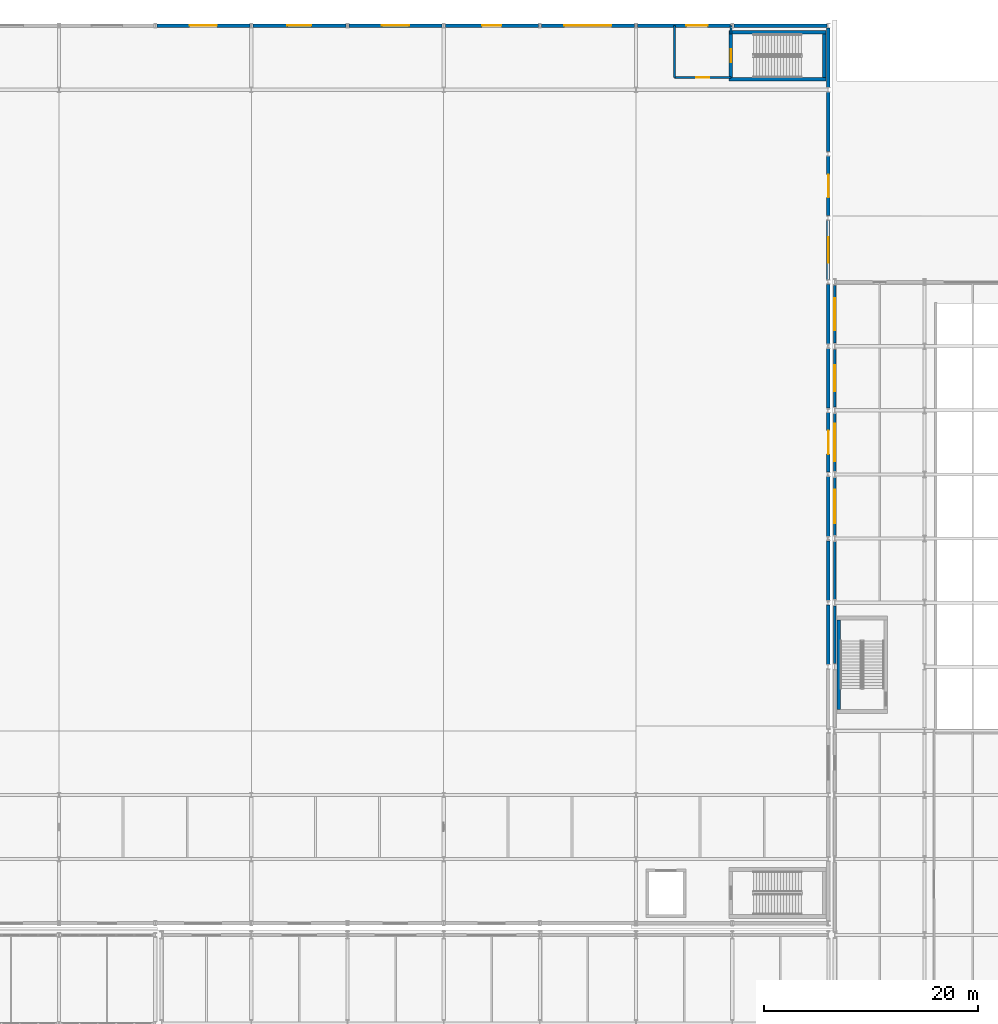
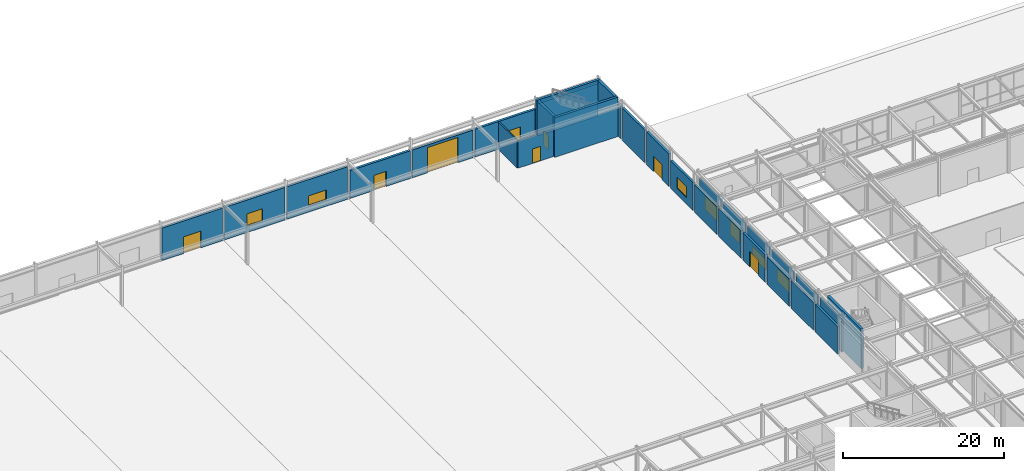
# One storey, part 123 of 146: 31 walls, 8 doors, 7 windows, 15 openings.
"""IFC4 building model written with IfcOpenShell, lengths in metres."""

from ifc_helpers import new_model, si_unit, direction, frame, frame_2d, origin, place, context, subcontext, project, spatial, rectangle, extrude, material, layer, layer_set, type_object, element, fill, save


model = new_model("IFC4")

# Units and contexts
model_context = context("Model", 3, precision=1e-05, world=origin(), true_north=direction((0.0, 1.0)))
body_context = subcontext(model_context, "Body", "Model", "MODEL_VIEW")
ifc_project = project(units=[si_unit("LENGTHUNIT", "METRE"), si_unit("AREAUNIT", "SQUARE_METRE"), si_unit("VOLUMEUNIT", "CUBIC_METRE"), si_unit("PLANEANGLEUNIT", "RADIAN"), si_unit("MASSUNIT", "GRAM", prefix="KILO")], contexts=[model_context])

# Site, building, storey
site_placement = place(None, origin())
site = spatial("IfcSite", under=ifc_project, at=site_placement, CompositionType="ELEMENT")
building_placement = place(site_placement, origin())
building = spatial("IfcBuilding", under=site, at=building_placement, Name="Kaldris Quays Convention Centre", CompositionType="ELEMENT")
storey_placement = place(building_placement, origin())
storey = spatial("IfcBuildingStorey", under=building, at=storey_placement, Name="L00", CompositionType="ELEMENT", Elevation=0.0)

# Wall, opening, door
ifc_material_1 = material(Name="Concrete C35/45", Category="concrete")
ifc_layer_1 = layer(ifc_material_1, 0.344970703125)
ifc_layer_set_1 = layer_set([ifc_layer_1], Name="Concrete C35/45")
wall_type_1 = type_object("IfcWallType", Name="EXTERIOR WALL EW01", PredefinedType="STANDARD", material=ifc_layer_set_1)
wall_1_placement = place(storey_placement, frame((83.1494140625, 140.0, 0.0), z_axis=(0.0, 0.0, 1.0), x_axis=(1.0, 0.0, 0.0)))
wall_1 = element("IfcWall", 1, at=wall_1_placement, inside=storey, type_object=wall_type_1, Name="L00 Exterior Wall EW01 24", PredefinedType="STANDARD", context=body_context, shape_type="SweptSolid", body=[
    extrude(rectangle(XDim=8.701171875, YDim=0.344970703125, at=frame_2d((4.3505859375, 0.0))), origin(), (0.0, 0.0, 1.0), 4.9580078125),
])
opening_1_placement = place(wall_1_placement, frame((3.075439453125, 0.0, 0.0)))
opening_1 = element("IfcOpeningElement", 2, at=opening_1_placement, cuts=wall_1, Name="Opening ED11", PredefinedType="OPENING", context=body_context, shape_type="SweptSolid", body=[
    extrude(rectangle(XDim=2.550048828125, YDim=2.550048828125, at=frame_2d((1.27490234375, 1.27490234375))), frame((0.0, 0.1826171875, 0.0), z_axis=(0.0, -1.0, 0.0), x_axis=(1.0, 0.0, 0.0)), (0.0, 0.0, 1.0), 0.364990234375),
])
ifc_material_2 = material(Name="Thermally broken anodized aluminium and laminated safety glass", Category="aluminium")
door_type_1 = type_object("IfcDoorType", Name="EXTERIOR DOOR ED11", OperationType="DOUBLE_DOOR_SINGLE_SWING", PredefinedType="DOOR", material=ifc_material_2)
door_1_placement = place(opening_1_placement, origin())
door_1 = element("IfcDoor", 3, at=door_1_placement, inside=storey, type_object=door_type_1, Name="L00 Exterior Exit Door ED11 8", OperationType="DOUBLE_DOOR_SINGLE_SWING", OverallHeight=2.550048828125, OverallWidth=2.550048828125, PredefinedType="DOOR", context=body_context, shape_type="SweptSolid", body=[
    extrude(rectangle(XDim=2.550048828125, YDim=2.550048828125, at=frame_2d((1.27490234375, 1.27490234375))), frame((0.0, 0.02490234375, 0.0), z_axis=(0.0, -1.0, 0.0), x_axis=(1.0, 0.0, 0.0)), (0.0, 0.0, 1.0), 0.050048828125),
])
fill(opening_1, door_1)

# Wall, opening, window
wall_2_placement = place(storey_placement, frame((92.1494140625, 140.0, 0.0), z_axis=(0.0, 0.0, 1.0), x_axis=(1.0, 0.0, 0.0)))
wall_2 = element("IfcWall", 4, at=wall_2_placement, inside=storey, type_object=wall_type_1, Name="L00 Exterior Wall EW01 26", PredefinedType="STANDARD", context=body_context, shape_type="SweptSolid", body=[
    extrude(rectangle(XDim=8.701171875, YDim=0.344970703125, at=frame_2d((4.3505859375, 0.0))), origin(), (0.0, 0.0, 1.0), 4.9580078125),
])
opening_2_placement = place(wall_2_placement, frame((3.2255859375, 0.0, 1.0)))
opening_2 = element("IfcOpeningElement", 5, at=opening_2_placement, cuts=wall_2, Name="Opening WN16", PredefinedType="OPENING", context=body_context, shape_type="SweptSolid", body=[
    extrude(rectangle(XDim=2.25, YDim=1.85009765625, at=frame_2d((1.125, 0.925048828125))), frame((0.0, 0.1826171875, 0.0), z_axis=(0.0, -1.0, 0.0), x_axis=(1.0, 0.0, 0.0)), (0.0, 0.0, 1.0), 0.364990234375),
])
ifc_material_3 = material(Name="Triple low-E insulated glazing", Category="glass")
window_type_1 = type_object("IfcWindowType", Name="TRIPLE GLAZED WINDOW WN16", PartitioningType="SINGLE_PANEL", PredefinedType="WINDOW", material=ifc_material_3)
window_1_placement = place(opening_2_placement, origin())
window_1 = element("IfcWindow", 6, at=window_1_placement, inside=storey, type_object=window_type_1, Name="L00 Exterior Window WN16 11", OverallHeight=1.85009765625, OverallWidth=2.25, PartitioningType="SINGLE_PANEL", PredefinedType="WINDOW", context=body_context, shape_type="SweptSolid", body=[
    extrude(rectangle(XDim=2.25, YDim=1.85009765625, at=frame_2d((1.125, 0.925048828125))), frame((0.0, 0.030029296875, 0.0), z_axis=(0.0, -1.0, 0.0), x_axis=(1.0, 0.0, 0.0)), (0.0, 0.0, 1.0), 0.06005859375),
])
fill(opening_2, window_1)

wall_3_placement = place(storey_placement, frame((101.1494140625, 140.0, 0.0), z_axis=(0.0, 0.0, 1.0), x_axis=(1.0, 0.0, 0.0)))
wall_3 = element("IfcWall", 7, at=wall_3_placement, inside=storey, type_object=wall_type_1, Name="L00 Exterior Wall EW01 30", PredefinedType="STANDARD", context=body_context, shape_type="SweptSolid", body=[
    extrude(rectangle(XDim=8.701171875, YDim=0.344970703125, at=frame_2d((4.3505859375, 0.0))), origin(), (0.0, 0.0, 1.0), 4.9580078125),
])
opening_3_placement = place(wall_3_placement, frame((3.075439453125, 0.0, 1.0)))
opening_3 = element("IfcOpeningElement", 8, at=opening_3_placement, cuts=wall_3, Name="Opening WN19", PredefinedType="OPENING", context=body_context, shape_type="SweptSolid", body=[
    extrude(rectangle(XDim=2.550048828125, YDim=1.5, at=frame_2d((1.27490234375, 0.75))), frame((0.0, 0.1826171875, 0.0), z_axis=(0.0, -1.0, 0.0), x_axis=(1.0, 0.0, 0.0)), (0.0, 0.0, 1.0), 0.364990234375),
])
window_type_2 = type_object("IfcWindowType", Name="TRIPLE GLAZED WINDOW WN19", PartitioningType="SINGLE_PANEL", PredefinedType="WINDOW", material=ifc_material_3)
window_2_placement = place(opening_3_placement, origin())
window_2 = element("IfcWindow", 9, at=window_2_placement, inside=storey, type_object=window_type_2, Name="L00 Exterior Window WN19 14", OverallHeight=1.5, OverallWidth=2.550048828125, PartitioningType="SINGLE_PANEL", PredefinedType="WINDOW", context=body_context, shape_type="SweptSolid", body=[
    extrude(rectangle(XDim=2.550048828125, YDim=1.5, at=frame_2d((1.27490234375, 0.75))), frame((0.0, 0.030029296875, 0.0), z_axis=(0.0, -1.0, 0.0), x_axis=(1.0, 0.0, 0.0)), (0.0, 0.0, 1.0), 0.06005859375),
])
fill(opening_3, window_2)

# Wall, opening, door
wall_4_placement = place(storey_placement, frame((110.1494140625, 140.0, 0.0), z_axis=(0.0, 0.0, 1.0), x_axis=(1.0, 0.0, 0.0)))
wall_4 = element("IfcWall", 10, at=wall_4_placement, inside=storey, type_object=wall_type_1, Name="L00 Exterior Wall EW01 32", PredefinedType="STANDARD", context=body_context, shape_type="SweptSolid", body=[
    extrude(rectangle(XDim=8.701171875, YDim=0.344970703125, at=frame_2d((4.3505859375, 0.0))), origin(), (0.0, 0.0, 1.0), 4.219970703125),
])
opening_4_placement = place(wall_4_placement, frame((3.450439453125, 0.0, 0.0)))
opening_4 = element("IfcOpeningElement", 11, at=opening_4_placement, cuts=wall_4, Name="Opening ED04", PredefinedType="OPENING", context=body_context, shape_type="SweptSolid", body=[
    extrude(rectangle(XDim=1.800048828125, YDim=2.300048828125, at=frame_2d((0.89990234375, 1.14990234375))), frame((0.0, 0.1826171875, 0.0), z_axis=(0.0, -1.0, 0.0), x_axis=(1.0, 0.0, 0.0)), (0.0, 0.0, 1.0), 0.364990234375),
])
door_type_2 = type_object("IfcDoorType", Name="EXTERIOR DOOR ED04", OperationType="DOUBLE_DOOR_SINGLE_SWING", PredefinedType="DOOR", material=ifc_material_2)
door_2_placement = place(opening_4_placement, origin())
door_2 = element("IfcDoor", 12, at=door_2_placement, inside=storey, type_object=door_type_2, Name="L00 Exterior Exit Door ED04 12", OperationType="DOUBLE_DOOR_SINGLE_SWING", OverallHeight=2.300048828125, OverallWidth=1.800048828125, PredefinedType="DOOR", context=body_context, shape_type="SweptSolid", body=[
    extrude(rectangle(XDim=1.800048828125, YDim=2.300048828125, at=frame_2d((0.89990234375, 1.14990234375))), frame((0.0, 0.02490234375, 0.0), z_axis=(0.0, -1.0, 0.0), x_axis=(1.0, 0.0, 0.0)), (0.0, 0.0, 1.0), 0.050048828125),
])
fill(opening_4, door_2)

wall_5_placement = place(storey_placement, frame((119.1494140625, 140.0, 0.0), z_axis=(0.0, 0.0, 1.0), x_axis=(1.0, 0.0, 0.0)))
wall_5 = element("IfcWall", 13, at=wall_5_placement, inside=storey, type_object=wall_type_1, Name="L00 Exterior Wall EW01 36", PredefinedType="STANDARD", context=body_context, shape_type="SweptSolid", body=[
    extrude(rectangle(XDim=8.701171875, YDim=0.344970703125, at=frame_2d((4.3505859375, 0.0))), origin(), (0.0, 0.0, 1.0), 4.219970703125),
])
opening_5_placement = place(wall_5_placement, frame((2.150390625, 0.0, 0.0)))
opening_5 = element("IfcOpeningElement", 14, at=opening_5_placement, cuts=wall_5, Name="Opening VD02", PredefinedType="OPENING", context=body_context, shape_type="SweptSolid", body=[
    extrude(rectangle(XDim=4.39990234375, YDim=3.85009765625, at=frame_2d((2.199951171875, 1.925048828125))), frame((0.0, 0.1826171875, 0.0), z_axis=(0.0, -1.0, 0.0), x_axis=(1.0, 0.0, 0.0)), (0.0, 0.0, 1.0), 0.364990234375),
])
door_type_3 = type_object("IfcDoorType", Name="EXTERIOR DOOR VD02", OperationType="ROLLINGUP", PredefinedType="DOOR", material=ifc_material_2)
door_3_placement = place(opening_5_placement, origin())
door_3 = element("IfcDoor", 15, at=door_3_placement, inside=storey, type_object=door_type_3, Name="L00 Exterior Exit Door VD02 13", OperationType="ROLLINGUP", OverallHeight=3.85009765625, OverallWidth=4.39990234375, PredefinedType="DOOR", context=body_context, shape_type="SweptSolid", body=[
    extrude(rectangle(XDim=4.39990234375, YDim=3.85009765625, at=frame_2d((2.199951171875, 1.925048828125))), frame((0.0, 0.02490234375, 0.0), z_axis=(0.0, -1.0, 0.0), x_axis=(1.0, 0.0, 0.0)), (0.0, 0.0, 1.0), 0.050048828125),
])
fill(opening_5, door_3)

wall_6_placement = place(storey_placement, frame((128.1494140625, 140.0, 0.0), z_axis=(0.0, 0.0, 1.0), x_axis=(1.0, 0.0, 0.0)))
wall_6 = element("IfcWall", 16, at=wall_6_placement, inside=storey, type_object=wall_type_1, Name="L00 Exterior Wall EW01 38", PredefinedType="STANDARD", context=body_context, shape_type="SweptSolid", body=[
    extrude(rectangle(XDim=8.701171875, YDim=0.344970703125, at=frame_2d((4.3505859375, 0.0))), origin(), (0.0, 0.0, 1.0), 4.219970703125),
])
opening_6_placement = place(wall_6_placement, frame((4.55078125, 0.0, 0.0)))
opening_6 = element("IfcOpeningElement", 17, at=opening_6_placement, cuts=wall_6, Name="Opening ED01", PredefinedType="OPENING", context=body_context, shape_type="SweptSolid", body=[
    extrude(rectangle(XDim=2.0, YDim=2.300048828125, at=frame_2d((1.0, 1.14990234375))), frame((0.0, 0.1826171875, 0.0), z_axis=(0.0, -1.0, 0.0), x_axis=(1.0, 0.0, 0.0)), (0.0, 0.0, 1.0), 0.364990234375),
])
door_type_4 = type_object("IfcDoorType", Name="EXTERIOR DOOR ED01", OperationType="DOUBLE_DOOR_SINGLE_SWING", PredefinedType="DOOR", material=ifc_material_2)
door_4_placement = place(opening_6_placement, origin())
door_4 = element("IfcDoor", 18, at=door_4_placement, inside=storey, type_object=door_type_4, Name="L00 Stair ST04 Final Exterior Exit Door ED01", OperationType="DOUBLE_DOOR_SINGLE_SWING", OverallHeight=2.300048828125, OverallWidth=2.0, PredefinedType="DOOR", context=body_context, shape_type="SweptSolid", body=[
    extrude(rectangle(XDim=2.0, YDim=2.300048828125, at=frame_2d((1.0, 1.14990234375))), frame((0.0, 0.02490234375, 0.0), z_axis=(0.0, -1.0, 0.0), x_axis=(1.0, 0.0, 0.0)), (0.0, 0.0, 1.0), 0.050048828125),
])
fill(opening_6, door_4)

# Walls
wall_7_placement = place(storey_placement, frame((137.1494140625, 140.0, 0.0), z_axis=(0.0, 0.0, 1.0), x_axis=(1.0, 0.0, 0.0)))
element("IfcWall", 19, at=wall_7_placement, inside=storey, type_object=wall_type_1, Name="L00 Exterior Wall EW01 42", PredefinedType="STANDARD", context=body_context, shape_type="SweptSolid", body=[
    extrude(rectangle(XDim=8.701171875, YDim=0.344970703125, at=frame_2d((4.3505859375, 0.0))), origin(), (0.0, 0.0, 1.0), 4.9580078125),
])
ifc_layer_2 = layer(ifc_material_1, 0.31201171875)
ifc_layer_set_2 = layer_set([ifc_layer_2], Name="Concrete C35/45")
wall_type_2 = type_object("IfcWallType", Name="EXTERIOR WALL EW02", PredefinedType="STANDARD", material=ifc_layer_set_2)
for number, where, z_axis, x_axis, name in (
    (20, (146.0, 80.2119140625, 0.0), (0.0, 0.0, 1.0), (0.0, 1.0, 0.0), "L00 Exterior Wall EW02 58"),
    (21, (146.0, 86.2119140625, 0.0), (0.0, 0.0, 1.0), (0.0, 1.0, 0.0), "L00 Exterior Wall EW02 62"),
    (22, (146.0, 92.2119140625, 0.0), (0.0, 0.0, 1.0), (0.0, 1.0, 0.0), "L00 Exterior Wall EW02 65"),
):
    element("IfcWall", number, at=place(storey_placement, frame(where, z_axis=z_axis, x_axis=x_axis)), inside=storey, type_object=wall_type_2, Name=name, PredefinedType="STANDARD", context=body_context, shape_type="SweptSolid", body=[
        extrude(rectangle(XDim=5.576171875, YDim=0.31201171875, at=frame_2d((2.7880859375, 0.0))), origin(), (0.0, 0.0, 1.0), 4.199951171875),
    ])

# Wall, opening, door
wall_8_placement = place(storey_placement, frame((146.0, 98.2119140625, 0.0), z_axis=(0.0, 0.0, 1.0), x_axis=(0.0, 1.0, 0.0)))
wall_8 = element("IfcWall", 23, at=wall_8_placement, inside=storey, type_object=wall_type_2, Name="L00 Exterior Wall EW02 69", PredefinedType="STANDARD", context=body_context, shape_type="SweptSolid", body=[
    extrude(rectangle(XDim=5.576171875, YDim=0.31201171875, at=frame_2d((2.7880859375, 0.0))), origin(), (0.0, 0.0, 1.0), 4.199951171875),
])
opening_7_placement = place(wall_8_placement, frame((1.68798828125, 0.0, 0.0)))
opening_7 = element("IfcOpeningElement", 24, at=opening_7_placement, cuts=wall_8, Name="Opening ED02", PredefinedType="OPENING", context=body_context, shape_type="SweptSolid", body=[
    extrude(rectangle(XDim=2.199951171875, YDim=2.39990234375, at=frame_2d((1.10009765625, 1.199951171875))), frame((0.0, 0.166015625, 0.0), z_axis=(0.0, -1.0, 0.0), x_axis=(1.0, 0.0, 0.0)), (0.0, 0.0, 1.0), 0.33203125),
])
door_type_5 = type_object("IfcDoorType", Name="EXTERIOR DOOR ED02", OperationType="DOUBLE_DOOR_SINGLE_SWING", PredefinedType="DOOR", material=ifc_material_2)
door_5_placement = place(opening_7_placement, frame((2.199951171875, 0.0, 0.0), z_axis=(0.0, 0.0, 1.0), x_axis=(-1.0, 0.0, 0.0)))
door_5 = element("IfcDoor", 25, at=door_5_placement, inside=storey, type_object=door_type_5, Name="L00 Exterior Exit Door ED02 18", OperationType="DOUBLE_DOOR_SINGLE_SWING", OverallHeight=2.39990234375, OverallWidth=2.199951171875, PredefinedType="DOOR", context=body_context, shape_type="SweptSolid", body=[
    extrude(rectangle(XDim=2.199951171875, YDim=2.39990234375, at=frame_2d((1.10009765625, 1.199951171875))), frame((0.0, 0.02490234375, 0.0), z_axis=(0.0, -1.0, 0.0), x_axis=(1.0, 0.0, 0.0)), (0.0, 0.0, 1.0), 0.050048828125),
])
fill(opening_7, door_5)

# Walls
for number, where, z_axis, x_axis, name in (
    (26, (146.0, 104.2119140625, 0.0), (0.0, 0.0, 1.0), (0.0, 1.0, 0.0), "L00 Exterior Wall EW02 72"),
    (27, (146.0, 110.2119140625, 0.0), (0.0, 0.0, 1.0), (0.0, 1.0, 0.0), "L00 Exterior Wall EW02 76"),
):
    element("IfcWall", number, at=place(storey_placement, frame(where, z_axis=z_axis, x_axis=x_axis)), inside=storey, type_object=wall_type_2, Name=name, PredefinedType="STANDARD", context=body_context, shape_type="SweptSolid", body=[
        extrude(rectangle(XDim=5.576171875, YDim=0.31201171875, at=frame_2d((2.7880859375, 0.0))), origin(), (0.0, 0.0, 1.0), 4.199951171875),
    ])

# Wall, opening, window
wall_9_placement = place(storey_placement, frame((146.0, 116.2119140625, 0.0), z_axis=(0.0, 0.0, 1.0), x_axis=(0.0, 1.0, 0.0)))
wall_9 = element("IfcWall", 28, at=wall_9_placement, inside=storey, type_object=wall_type_2, Name="L00 Exterior Wall EW02 79", PredefinedType="STANDARD", context=body_context, shape_type="SweptSolid", body=[
    extrude(rectangle(XDim=5.576171875, YDim=0.31201171875, at=frame_2d((2.7880859375, 0.0))), origin(), (0.0, 0.0, 1.0), 4.22998046875),
])
opening_8_placement = place(wall_9_placement, frame((1.587890625, 0.0, 1.0)))
opening_8 = element("IfcOpeningElement", 29, at=opening_8_placement, cuts=wall_9, Name="Opening WN09", PredefinedType="OPENING", context=body_context, shape_type="SweptSolid", body=[
    extrude(rectangle(XDim=2.39990234375, YDim=1.64990234375, at=frame_2d((1.199951171875, 0.824951171875))), frame((0.0, 0.166015625, 0.0), z_axis=(0.0, -1.0, 0.0), x_axis=(1.0, 0.0, 0.0)), (0.0, 0.0, 1.0), 0.33203125),
])
window_type_3 = type_object("IfcWindowType", Name="TRIPLE GLAZED WINDOW WN09", PartitioningType="SINGLE_PANEL", PredefinedType="WINDOW", material=ifc_material_3)
window_3_placement = place(opening_8_placement, origin())
window_3 = element("IfcWindow", 30, at=window_3_placement, inside=storey, type_object=window_type_3, Name="L00 Exterior Window WN09 24", OverallHeight=1.64990234375, OverallWidth=2.39990234375, PartitioningType="SINGLE_PANEL", PredefinedType="WINDOW", context=body_context, shape_type="SweptSolid", body=[
    extrude(rectangle(XDim=2.39990234375, YDim=1.64990234375, at=frame_2d((1.199951171875, 0.824951171875))), frame((0.0, 0.030029296875, 0.0), z_axis=(0.0, -1.0, 0.0), x_axis=(1.0, 0.0, 0.0)), (0.0, 0.0, 1.0), 0.06005859375),
])
fill(opening_8, window_3)

# Wall, opening, door
wall_10_placement = place(storey_placement, frame((146.0, 122.2119140625, 0.0), z_axis=(0.0, 0.0, 1.0), x_axis=(0.0, 1.0, 0.0)))
wall_10 = element("IfcWall", 31, at=wall_10_placement, inside=storey, type_object=wall_type_2, Name="L00 Exterior Wall EW02 83", PredefinedType="STANDARD", context=body_context, shape_type="SweptSolid", body=[
    extrude(rectangle(XDim=5.576171875, YDim=0.31201171875, at=frame_2d((2.7880859375, 0.0))), origin(), (0.0, 0.0, 1.0), 5.0),
])
opening_9_placement = place(wall_10_placement, frame((1.72802734375, 0.0, 0.0)))
opening_9 = element("IfcOpeningElement", 32, at=opening_9_placement, cuts=wall_10, Name="Opening ED08", PredefinedType="OPENING", context=body_context, shape_type="SweptSolid", body=[
    extrude(rectangle(XDim=2.1201171875, YDim=2.340087890625, at=frame_2d((1.06005859375, 1.169921875))), frame((0.0, 0.166015625, 0.0), z_axis=(0.0, -1.0, 0.0), x_axis=(1.0, 0.0, 0.0)), (0.0, 0.0, 1.0), 0.33203125),
])
door_type_6 = type_object("IfcDoorType", Name="EXTERIOR DOOR ED08", OperationType="DOUBLE_DOOR_SINGLE_SWING", PredefinedType="DOOR", material=ifc_material_2)
door_6_placement = place(opening_9_placement, frame((2.1201171875, 0.0, 0.0), z_axis=(0.0, 0.0, 1.0), x_axis=(-1.0, 0.0, 0.0)))
door_6 = element("IfcDoor", 33, at=door_6_placement, inside=storey, type_object=door_type_6, Name="L00 Exterior Exit Door ED08 22", OperationType="DOUBLE_DOOR_SINGLE_SWING", OverallHeight=2.340087890625, OverallWidth=2.1201171875, PredefinedType="DOOR", context=body_context, shape_type="SweptSolid", body=[
    extrude(rectangle(XDim=2.1201171875, YDim=2.340087890625, at=frame_2d((1.06005859375, 1.169921875))), frame((0.0, 0.02490234375, 0.0), z_axis=(0.0, -1.0, 0.0), x_axis=(1.0, 0.0, 0.0)), (0.0, 0.0, 1.0), 0.050048828125),
])
fill(opening_9, door_6)

# Walls
for number, where, z_axis, x_axis, name in (
    (34, (146.0, 128.2119140625, 0.0), (0.0, 0.0, 1.0), (0.0, 1.0, 0.0), "L00 Exterior Wall EW02 86"),
    (35, (146.0, 134.2119140625, 0.0), (0.0, 0.0, 1.0), (0.0, 1.0, 0.0), "L00 Exterior Wall EW02 90"),
):
    element("IfcWall", number, at=place(storey_placement, frame(where, z_axis=z_axis, x_axis=x_axis)), inside=storey, type_object=wall_type_2, Name=name, PredefinedType="STANDARD", context=body_context, shape_type="SweptSolid", body=[
        extrude(rectangle(XDim=5.576171875, YDim=0.31201171875, at=frame_2d((2.7880859375, 0.0))), origin(), (0.0, 0.0, 1.0), 4.9580078125),
    ])
ifc_material_4 = material(Name="Anodized aluminium insulated cassette", Category="aluminium")
ifc_layer_3 = layer(ifc_material_4, 0.201904296875)
ifc_layer_set_3 = layer_set([ifc_layer_3], Name="Anodized aluminium insulated cassette")
wall_type_3 = type_object("IfcWallType", Name="EXTERIOR WALL EW07", PredefinedType="STANDARD", material=ifc_layer_set_3)
for number, where, z_axis, x_axis, name in (
    (36, (146.60009765625, 80.2958984375, 0.0), (0.0, 0.0, 1.0), (0.0, 1.0, 0.0), "L00 Exterior Wall EW07 278"),
    (37, (146.60009765625, 86.2958984375, 0.0), (0.0, 0.0, 1.0), (0.0, 1.0, 0.0), "L00 Exterior Wall EW07 280"),
):
    element("IfcWall", number, at=place(storey_placement, frame(where, z_axis=z_axis, x_axis=x_axis)), inside=storey, type_object=wall_type_3, Name=name, PredefinedType="STANDARD", context=body_context, shape_type="SweptSolid", body=[
        extrude(rectangle(XDim=5.408203125, YDim=0.201904296875, at=frame_2d((2.7041015625, 0.0))), origin(), (0.0, 0.0, 1.0), 5.097900390625),
    ])

# Wall, opening, window
wall_11_placement = place(storey_placement, frame((146.60009765625, 92.2958984375, 0.0), z_axis=(0.0, 0.0, 1.0), x_axis=(0.0, 1.0, 0.0)))
wall_11 = element("IfcWall", 38, at=wall_11_placement, inside=storey, type_object=wall_type_3, Name="L00 Exterior Wall EW07 282", PredefinedType="STANDARD", context=body_context, shape_type="SweptSolid", body=[
    extrude(rectangle(XDim=5.408203125, YDim=0.201904296875, at=frame_2d((2.7041015625, 0.0))), origin(), (0.0, 0.0, 1.0), 5.097900390625),
])
opening_10_placement = place(wall_11_placement, frame((1.154052734375, 0.0, 1.0)))
opening_10 = element("IfcOpeningElement", 39, at=opening_10_placement, cuts=wall_11, Name="Opening WN33", PredefinedType="OPENING", context=body_context, shape_type="SweptSolid", body=[
    extrude(rectangle(XDim=3.10009765625, YDim=1.89990234375, at=frame_2d((1.550048828125, 0.949951171875))), frame((0.0, 0.11083984375, 0.0), z_axis=(0.0, -1.0, 0.0), x_axis=(1.0, 0.0, 0.0)), (0.0, 0.0, 1.0), 0.221923828125),
])
window_type_4 = type_object("IfcWindowType", Name="TRIPLE GLAZED WINDOW WN33", PartitioningType="SINGLE_PANEL", PredefinedType="WINDOW", material=ifc_material_3)
window_4_placement = place(opening_10_placement, origin())
window_4 = element("IfcWindow", 40, at=window_4_placement, inside=storey, type_object=window_type_4, Name="L00 Exterior Window WN33 87", OverallHeight=1.89990234375, OverallWidth=3.10009765625, PartitioningType="SINGLE_PANEL", PredefinedType="WINDOW", context=body_context, shape_type="SweptSolid", body=[
    extrude(rectangle(XDim=3.10009765625, YDim=1.89990234375, at=frame_2d((1.550048828125, 0.949951171875))), frame((0.0, 0.030029296875, 0.0), z_axis=(0.0, -1.0, 0.0), x_axis=(1.0, 0.0, 0.0)), (0.0, 0.0, 1.0), 0.06005859375),
])
fill(opening_10, window_4)

wall_12_placement = place(storey_placement, frame((146.60009765625, 98.2958984375, 0.0), z_axis=(0.0, 0.0, 1.0), x_axis=(0.0, 1.0, 0.0)))
wall_12 = element("IfcWall", 41, at=wall_12_placement, inside=storey, type_object=wall_type_3, Name="L00 Exterior Wall EW07 284", PredefinedType="STANDARD", context=body_context, shape_type="SweptSolid", body=[
    extrude(rectangle(XDim=5.408203125, YDim=0.201904296875, at=frame_2d((2.7041015625, 0.0))), origin(), (0.0, 0.0, 1.0), 5.097900390625),
])
opening_11_placement = place(wall_12_placement, frame((0.9541015625, 0.0, 1.0)))
opening_11 = element("IfcOpeningElement", 42, at=opening_11_placement, cuts=wall_12, Name="Opening WN34", PredefinedType="OPENING", context=body_context, shape_type="SweptSolid", body=[
    extrude(rectangle(XDim=3.5, YDim=1.550048828125, at=frame_2d((1.75, 0.77490234375))), frame((0.0, 0.11083984375, 0.0), z_axis=(0.0, -1.0, 0.0), x_axis=(1.0, 0.0, 0.0)), (0.0, 0.0, 1.0), 0.221923828125),
])
window_type_5 = type_object("IfcWindowType", Name="TRIPLE GLAZED WINDOW WN34", PartitioningType="SINGLE_PANEL", PredefinedType="WINDOW", material=ifc_material_3)
window_5_placement = place(opening_11_placement, origin())
window_5 = element("IfcWindow", 43, at=window_5_placement, inside=storey, type_object=window_type_5, Name="L00 Exterior Window WN34 88", OverallHeight=1.550048828125, OverallWidth=3.5, PartitioningType="SINGLE_PANEL", PredefinedType="WINDOW", context=body_context, shape_type="SweptSolid", body=[
    extrude(rectangle(XDim=3.5, YDim=1.550048828125, at=frame_2d((1.75, 0.77490234375))), frame((0.0, 0.030029296875, 0.0), z_axis=(0.0, -1.0, 0.0), x_axis=(1.0, 0.0, 0.0)), (0.0, 0.0, 1.0), 0.06005859375),
])
fill(opening_11, window_5)

wall_13_placement = place(storey_placement, frame((146.60009765625, 104.2958984375, 0.0), z_axis=(0.0, 0.0, 1.0), x_axis=(0.0, 1.0, 0.0)))
wall_13 = element("IfcWall", 44, at=wall_13_placement, inside=storey, type_object=wall_type_3, Name="L00 Exterior Wall EW07 285", PredefinedType="STANDARD", context=body_context, shape_type="SweptSolid", body=[
    extrude(rectangle(XDim=5.408203125, YDim=0.201904296875, at=frame_2d((2.7041015625, 0.0))), origin(), (0.0, 0.0, 1.0), 5.097900390625),
])
opening_12_placement = place(wall_13_placement, frame((1.50390625, 0.0, 1.0)))
opening_12 = element("IfcOpeningElement", 45, at=opening_12_placement, cuts=wall_13, Name="Opening WN01", PredefinedType="OPENING", context=body_context, shape_type="SweptSolid", body=[
    extrude(rectangle(XDim=2.39990234375, YDim=2.10009765625, at=frame_2d((1.199951171875, 1.050048828125))), frame((0.0, 0.11083984375, 0.0), z_axis=(0.0, -1.0, 0.0), x_axis=(1.0, 0.0, 0.0)), (0.0, 0.0, 1.0), 0.221923828125),
])
window_type_6 = type_object("IfcWindowType", Name="TRIPLE GLAZED WINDOW WN01", PartitioningType="SINGLE_PANEL", PredefinedType="WINDOW", material=ifc_material_3)
window_6_placement = place(opening_12_placement, origin())
window_6 = element("IfcWindow", 46, at=window_6_placement, inside=storey, type_object=window_type_6, Name="L00 Exterior Window WN01 89", OverallHeight=2.10009765625, OverallWidth=2.39990234375, PartitioningType="SINGLE_PANEL", PredefinedType="WINDOW", context=body_context, shape_type="SweptSolid", body=[
    extrude(rectangle(XDim=2.39990234375, YDim=2.10009765625, at=frame_2d((1.199951171875, 1.050048828125))), frame((0.0, 0.030029296875, 0.0), z_axis=(0.0, -1.0, 0.0), x_axis=(1.0, 0.0, 0.0)), (0.0, 0.0, 1.0), 0.06005859375),
])
fill(opening_12, window_6)

wall_14_placement = place(storey_placement, frame((146.60009765625, 110.2958984375, 0.0), z_axis=(0.0, 0.0, 1.0), x_axis=(0.0, 1.0, 0.0)))
wall_14 = element("IfcWall", 47, at=wall_14_placement, inside=storey, type_object=wall_type_3, Name="L00 Exterior Wall EW07 286", PredefinedType="STANDARD", context=body_context, shape_type="SweptSolid", body=[
    extrude(rectangle(XDim=5.408203125, YDim=0.201904296875, at=frame_2d((2.7041015625, 0.0))), origin(), (0.0, 0.0, 1.0), 5.097900390625),
])
opening_13_placement = place(wall_14_placement, frame((1.2041015625, 0.0, 1.0)))
opening_13 = element("IfcOpeningElement", 48, at=opening_13_placement, cuts=wall_14, Name="Opening WN02", PredefinedType="OPENING", context=body_context, shape_type="SweptSolid", body=[
    extrude(rectangle(XDim=3.0, YDim=2.10009765625, at=frame_2d((1.5, 1.050048828125))), frame((0.0, 0.11083984375, 0.0), z_axis=(0.0, -1.0, 0.0), x_axis=(1.0, 0.0, 0.0)), (0.0, 0.0, 1.0), 0.221923828125),
])
window_type_7 = type_object("IfcWindowType", Name="TRIPLE GLAZED WINDOW WN02", PartitioningType="SINGLE_PANEL", PredefinedType="WINDOW", material=ifc_material_3)
window_7_placement = place(opening_13_placement, origin())
window_7 = element("IfcWindow", 49, at=window_7_placement, inside=storey, type_object=window_type_7, Name="L00 Exterior Window WN02 90", OverallHeight=2.10009765625, OverallWidth=3.0, PartitioningType="SINGLE_PANEL", PredefinedType="WINDOW", context=body_context, shape_type="SweptSolid", body=[
    extrude(rectangle(XDim=3.0, YDim=2.10009765625, at=frame_2d((1.5, 1.050048828125))), frame((0.0, 0.030029296875, 0.0), z_axis=(0.0, -1.0, 0.0), x_axis=(1.0, 0.0, 0.0)), (0.0, 0.0, 1.0), 0.06005859375),
])
fill(opening_13, window_7)

# Wall, opening, door
ifc_layer_4 = layer(ifc_material_1, 0.199951171875)
ifc_layer_set_4 = layer_set([ifc_layer_4], Name="Concrete C35/45")
wall_type_4 = type_object("IfcWallType", Name="INTERIOR WALL IW01", PredefinedType="PARTITIONING", material=ifc_layer_set_4)
wall_15_placement = place(storey_placement, frame((131.60009765625, 135.14990234375, 0.0), z_axis=(0.0, 0.0, 1.0), x_axis=(1.0, 0.0, 0.0)))
wall_15 = element("IfcWall", 50, at=wall_15_placement, inside=storey, type_object=wall_type_4, Name="L00 Protected Exit Lobby ST04 Fire Wall", PredefinedType="PARTITIONING", context=body_context, shape_type="SweptSolid", body=[
    extrude(rectangle(XDim=5.27490234375, YDim=0.199951171875, at=frame_2d((2.637451171875, 0.0))), origin(), (0.0, 0.0, 1.0), 4.199951171875),
])
opening_14_placement = place(wall_15_placement, frame((2.03759765625, 0.0, 0.0)))
opening_14 = element("IfcOpeningElement", 51, at=opening_14_placement, cuts=wall_15, Name="Opening ID03", PredefinedType="OPENING", context=body_context, shape_type="SweptSolid", body=[
    extrude(rectangle(XDim=1.199951171875, YDim=2.199951171875, at=frame_2d((0.60009765625, 1.10009765625))), frame((0.0, 0.10986328125, 0.0), z_axis=(0.0, -1.0, 0.0), x_axis=(1.0, 0.0, 0.0)), (0.0, 0.0, 1.0), 0.219970703125),
])
ifc_material_5 = material(Name="Steel S355J2 fire-resisting door", Category="steel")
door_type_7 = type_object("IfcDoorType", Name="INTERIOR DOOR ID03", OperationType="NOTDEFINED", PredefinedType="DOOR", material=ifc_material_5)
door_7_placement = place(opening_14_placement, origin())
door_7 = element("IfcDoor", 52, at=door_7_placement, inside=storey, type_object=door_type_7, Name="L00 Protected Exit Lobby ST04 Entry Fire Door", OperationType="SINGLE_SWING_RIGHT", OverallHeight=2.199951171875, OverallWidth=1.199951171875, PredefinedType="DOOR", context=body_context, shape_type="SweptSolid", body=[
    extrude(rectangle(XDim=1.199951171875, YDim=2.199951171875, at=frame_2d((0.60009765625, 1.10009765625))), frame((0.0, 0.02490234375, 0.0), z_axis=(0.0, -1.0, 0.0), x_axis=(1.0, 0.0, 0.0)), (0.0, 0.0, 1.0), 0.050048828125),
])
fill(opening_14, door_7)

# Walls
wall_16_placement = place(storey_placement, frame((131.60009765625, 135.14990234375, 0.0), z_axis=(0.0, 0.0, 1.0), x_axis=(0.0, 1.0, 0.0)))
element("IfcWall", 53, at=wall_16_placement, inside=storey, type_object=wall_type_4, Name="L00 Protected Exit Lobby ST04 Side Wall 1", PredefinedType="PARTITIONING", context=body_context, shape_type="SweptSolid", body=[
    extrude(rectangle(XDim=4.85009765625, YDim=0.199951171875, at=frame_2d((2.425048828125, 0.0))), origin(), (0.0, 0.0, 1.0), 4.199951171875),
])
wall_17_placement = place(storey_placement, frame((136.875, 139.199951171875, 0.0), z_axis=(0.0, 0.0, 1.0), x_axis=(0.0, 1.0, 0.0)))
element("IfcWall", 54, at=wall_17_placement, inside=storey, type_object=wall_type_4, Name="L00 Protected Exit Lobby ST04 Side Wall 2", PredefinedType="PARTITIONING", context=body_context, shape_type="SweptSolid", body=[
    extrude(rectangle(XDim=0.800048828125, YDim=0.199951171875, at=frame_2d((0.39990234375, 0.0))), origin(), (0.0, 0.0, 1.0), 4.199951171875),
])
ifc_material_6 = material(Name="Concrete C40/50", Category="concrete")
ifc_layer_5 = layer(ifc_material_6, 0.35009765625)
ifc_layer_set_5 = layer_set([ifc_layer_5], Name="Concrete C40/50")
wall_type_5 = type_object("IfcWallType", Name="STRUCTURAL WALL SW01", PredefinedType="SHEAR", material=ifc_layer_set_5)
for number, where, z_axis, x_axis, name in (
    (55, (136.699951171875, 134.97509765625, 0.0), (0.0, 0.0, 1.0), (1.0, 0.0, 0.0), "L00 Core Shear Wall CORE-ST04-L00-S"),
    (56, (136.699951171875, 139.375, 0.0), (0.0, 0.0, 1.0), (1.0, 0.0, 0.0), "L00 Core Shear Wall CORE-ST04-L00-N"),
):
    element("IfcWall", number, at=place(storey_placement, frame(where, z_axis=z_axis, x_axis=x_axis)), inside=storey, type_object=wall_type_5, Name=name, PredefinedType="SHEAR", context=body_context, shape_type="SweptSolid", body=[
        extrude(rectangle(XDim=9.10009765625, YDim=0.35009765625, at=frame_2d((4.550048828125, 0.0))), origin(), (0.0, 0.0, 1.0), 6.0),
    ])

# Wall, opening, door
wall_18_placement = place(storey_placement, frame((136.875, 135.14990234375, 0.0), z_axis=(0.0, 0.0, 1.0), x_axis=(0.0, 1.0, 0.0)))
wall_18 = element("IfcWall", 57, at=wall_18_placement, inside=storey, type_object=wall_type_5, Name="L00 Core Shear Wall CORE-ST04-L00-W", PredefinedType="SHEAR", context=body_context, shape_type="SweptSolid", body=[
    extrude(rectangle(XDim=4.050048828125, YDim=0.35009765625, at=frame_2d((2.02490234375, 0.0))), origin(), (0.0, 0.0, 1.0), 6.0),
])
opening_15_placement = place(wall_18_placement, frame((1.425048828125, 0.0, 0.0)))
opening_15 = element("IfcOpeningElement", 58, at=opening_15_placement, cuts=wall_18, Name="Opening ID03", PredefinedType="OPENING", context=body_context, shape_type="SweptSolid", body=[
    extrude(rectangle(XDim=1.199951171875, YDim=2.199951171875, at=frame_2d((0.60009765625, 1.10009765625))), frame((0.0, 0.18505859375, 0.0), z_axis=(0.0, -1.0, 0.0), x_axis=(1.0, 0.0, 0.0)), (0.0, 0.0, 1.0), 0.3701171875),
])
door_8_placement = place(opening_15_placement, origin())
door_8 = element("IfcDoor", 59, at=door_8_placement, inside=storey, type_object=door_type_7, Name="L00 Escape Stair ST04 Fire Door", OperationType="SINGLE_SWING_LEFT", OverallHeight=2.199951171875, OverallWidth=1.199951171875, PredefinedType="DOOR", context=body_context, shape_type="SweptSolid", body=[
    extrude(rectangle(XDim=1.199951171875, YDim=2.199951171875, at=frame_2d((0.60009765625, 1.10009765625))), frame((0.0, 0.02490234375, 0.0), z_axis=(0.0, -1.0, 0.0), x_axis=(1.0, 0.0, 0.0)), (0.0, 0.0, 1.0), 0.050048828125),
])
fill(opening_15, door_8)

# Walls
wall_19_placement = place(storey_placement, frame((145.625, 135.14990234375, 0.0), z_axis=(0.0, 0.0, 1.0), x_axis=(0.0, 1.0, 0.0)))
element("IfcWall", 60, at=wall_19_placement, inside=storey, type_object=wall_type_5, Name="L00 Core Shear Wall CORE-ST04-L00-E", PredefinedType="SHEAR", context=body_context, shape_type="SweptSolid", body=[
    extrude(rectangle(XDim=4.050048828125, YDim=0.35009765625, at=frame_2d((2.02490234375, 0.0))), origin(), (0.0, 0.0, 1.0), 6.0),
])
wall_20_placement = place(storey_placement, frame((146.97509765625, 76.0, 0.0), z_axis=(0.0, 0.0, 1.0), x_axis=(0.0, 1.0, 0.0)))
element("IfcWall", 61, at=wall_20_placement, inside=storey, type_object=wall_type_5, Name="L00 Core Shear Wall CORE-ST14-L00-W", PredefinedType="SHEAR", context=body_context, shape_type="SweptSolid", body=[
    extrude(rectangle(XDim=8.39990234375, YDim=0.35009765625, at=frame_2d((4.199951171875, 0.0))), origin(), (0.0, 0.0, 1.0), 6.0),
])

save(model, "model.ifc")
